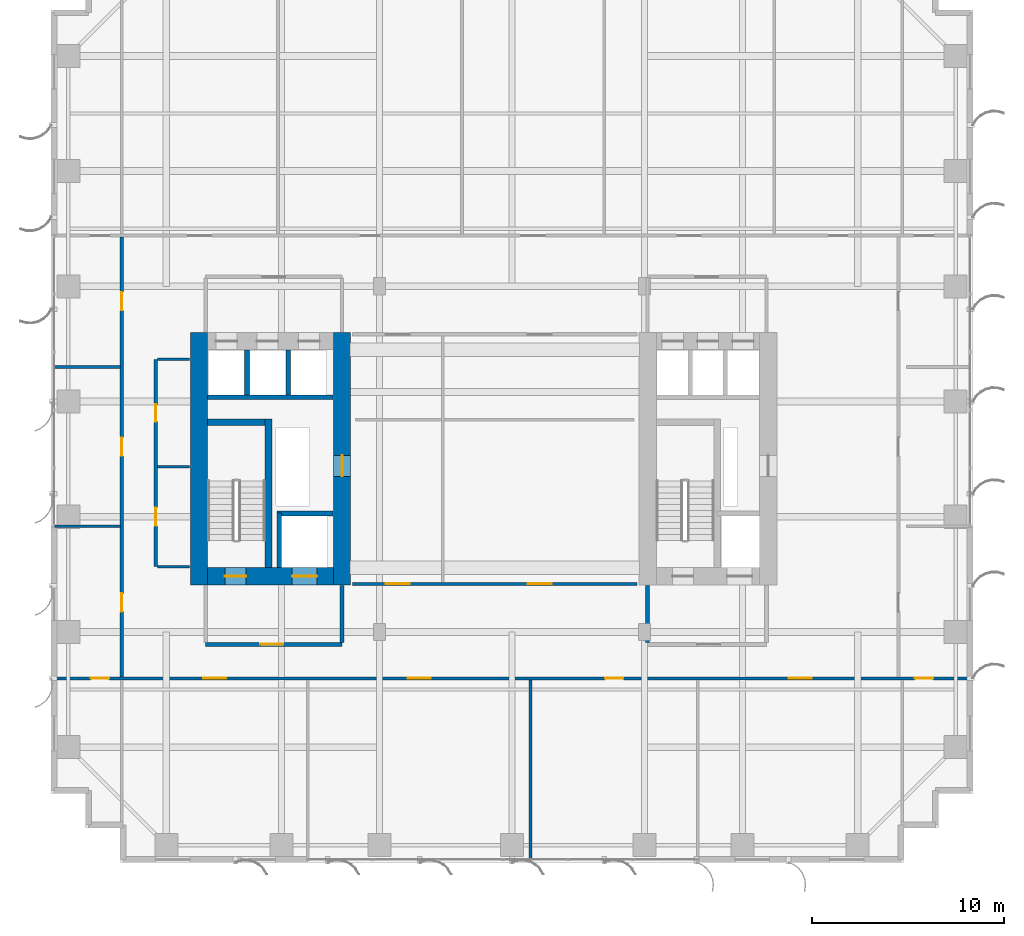
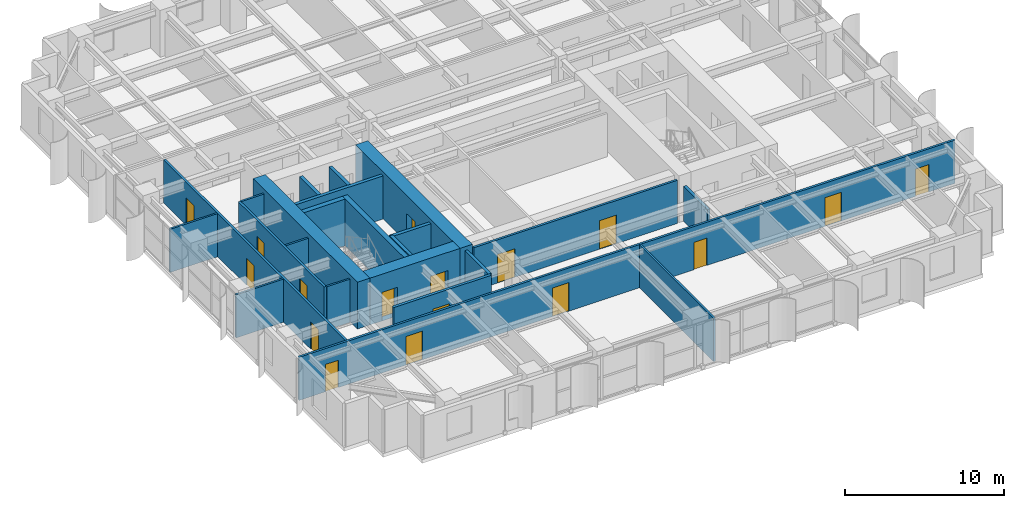
# One storey, part 18 of 25: 23 walls, 17 doors, 17 openings.
"""IFC4 building model written with IfcOpenShell, lengths in metres."""

from ifc_helpers import new_model, si_unit, direction, frame, frame_2d, origin, place, context, subcontext, project, spatial, rectangle, extrude, source, transform, mapped, material, layer, layer_set, type_object, element, fill, save


model = new_model("IFC4")

# Units and contexts
model_context = context("Model", 3, precision=1e-05, world=origin(), true_north=direction((0.0, 1.0)))
body_context = subcontext(model_context, "Body", "Model", "MODEL_VIEW")
ifc_project = project(units=[si_unit("LENGTHUNIT", "METRE"), si_unit("AREAUNIT", "SQUARE_METRE"), si_unit("VOLUMEUNIT", "CUBIC_METRE"), si_unit("PLANEANGLEUNIT", "RADIAN"), si_unit("MASSUNIT", "GRAM", prefix="KILO")], contexts=[model_context])

# Site, building, storey
site_placement = place(None, origin())
site = spatial("IfcSite", under=ifc_project, at=site_placement, CompositionType="ELEMENT")
building_placement = place(site_placement, origin())
building = spatial("IfcBuilding", under=site, at=building_placement, Name="Khoralis Quay Care Tower", CompositionType="ELEMENT")
storey_placement = place(building_placement, frame((0.0, 0.0, 51.300048828125)))
storey = spatial("IfcBuildingStorey", under=building, at=storey_placement, Name="L13", CompositionType="ELEMENT", Elevation=51.300048828125)

# Wall, opening, door
ifc_material_1 = material(Name="Gypsum plasterboard on acoustic metal stud")
ifc_layer_1 = layer(ifc_material_1, 0.199951171875)
ifc_layer_set_1 = layer_set([ifc_layer_1], Name="Gypsum plasterboard on acoustic metal stud")
wall_type_1 = type_object("IfcWallType", Name="WL-COMP-200", PredefinedType="PARTITIONING", material=ifc_layer_set_1)
wall_1_placement = place(storey_placement, frame((8.050048828125, 11.35009765625, 0.0), z_axis=(0.0, 0.0, 1.0), x_axis=(1.0, 0.0, 0.0)))
wall_1 = element("IfcWall", 1, at=wall_1_placement, inside=storey, type_object=wall_type_1, Name="L13 West Firefighting Lobby South Wall", PredefinedType="PARTITIONING", context=body_context, shape_type="SweptSolid", body=[
    extrude(rectangle(XDim=7.099853515625, YDim=0.199951171875, at=frame_2d((3.5498046875, 0.0))), origin(), (0.0, 0.0, 1.0), 3.320068359375),
])
opening_1_placement = place(wall_1_placement, frame((2.846435546875, 0.0, 0.0)))
opening_1 = element("IfcOpeningElement", 2, at=opening_1_placement, cuts=wall_1, Name="Opening FD1", PredefinedType="OPENING", context=body_context, shape_type="SweptSolid", body=[
    extrude(rectangle(XDim=1.199951171875, YDim=2.199951171875, at=frame_2d((0.60009765625, 1.10009765625))), frame((0.0, 0.10986328125, 0.0), z_axis=(0.0, -1.0, 0.0), x_axis=(1.0, 0.0, 0.0)), (0.0, 0.0, 1.0), 0.219970703125),
])
ifc_material_2 = material(Name="Fire-rated painted steel", Category="steel")
door_type_1 = type_object("IfcDoorType", Name="DR-FFL-1200X2200", OperationType="NOTDEFINED", PredefinedType="DOOR", material=ifc_material_2)
shared_shape_1 = source(origin(), body_context, "Body", "SweptSolid", [
    extrude(rectangle(XDim=1.199951171875, YDim=2.199951171875, at=frame_2d((0.60009765625, 1.10009765625))), frame((0.0, 0.02490234375, 0.0), z_axis=(0.0, -1.0, 0.0), x_axis=(1.0, 0.0, 0.0)), (0.0, 0.0, 1.0), 0.050048828125),
])
door_1_placement = place(opening_1_placement, origin())
door_1 = element("IfcDoor", 3, at=door_1_placement, inside=storey, type_object=door_type_1, Name="L13 West Firefighting Lobby Fire Door", OperationType="SINGLE_SWING_LEFT", OverallHeight=2.199951171875, OverallWidth=1.199951171875, PredefinedType="DOOR", context=body_context, shape_type="MappedRepresentation", body=[
    mapped(shared_shape_1, transform((0.0, 0.0, 0.0), scale=1.0)),
])
fill(opening_1, door_1)

# Walls
wall_2_placement = place(storey_placement, frame((15.14990234375, 11.445068359375, 0.0), z_axis=(0.0, 0.0, 1.0), x_axis=(0.0, 1.0, 0.0)))
element("IfcWall", 4, at=wall_2_placement, inside=storey, type_object=wall_type_1, Name="L13 West Firefighting Lobby East Wall", PredefinedType="PARTITIONING", context=body_context, shape_type="SweptSolid", body=[
    extrude(rectangle(XDim=2.98486328125, YDim=0.199951171875, at=frame_2d((1.492431640625, 0.0))), origin(), (0.0, 0.0, 1.0), 3.320068359375),
])
wall_3_placement = place(storey_placement, frame((31.050048828125, 11.445068359375, 0.0), z_axis=(0.0, 0.0, 1.0), x_axis=(0.0, 1.0, 0.0)))
element("IfcWall", 5, at=wall_3_placement, inside=storey, type_object=wall_type_1, Name="L13 East Firefighting Lobby West Wall", PredefinedType="PARTITIONING", context=body_context, shape_type="SweptSolid", body=[
    extrude(rectangle(XDim=2.98486328125, YDim=0.199951171875, at=frame_2d((1.492431640625, 0.0))), origin(), (0.0, 0.0, 1.0), 2.703857421875),
])
ifc_material_3 = material(Name="Concrete C80/95", Category="concrete")
ifc_layer_2 = layer(ifc_material_3, 0.89990234375)
ifc_layer_set_2 = layer_set([ifc_layer_2], Name="Concrete C80/95")
wall_type_2 = type_object("IfcWallType", Name="WL-CORE-900", PredefinedType="SHEAR", material=ifc_layer_set_2)
wall_4_placement = place(storey_placement, frame((7.699951171875, 14.449951171875, 0.0), z_axis=(0.0, 0.0, 1.0), x_axis=(0.0, 1.0, 0.0)))
element("IfcWall", 6, at=wall_4_placement, inside=storey, type_object=wall_type_2, Name="L13 WCORE West Shear Wall", PredefinedType="SHEAR", context=body_context, shape_type="SweptSolid", body=[
    extrude(rectangle(XDim=13.150146484375, YDim=0.89990234375, at=frame_2d((6.5751953125, 0.0))), origin(), (0.0, 0.0, 1.0), 3.599853515625),
])

# Wall, opening, door
wall_5_placement = place(storey_placement, frame((15.14990234375, 14.449951171875, 0.0), z_axis=(0.0, 0.0, 1.0), x_axis=(0.0, 1.0, 0.0)))
wall_5 = element("IfcWall", 7, at=wall_5_placement, inside=storey, type_object=wall_type_2, Name="L13 WCORE East Shear Wall", PredefinedType="SHEAR", context=body_context, shape_type="SweptSolid", body=[
    extrude(rectangle(XDim=13.150146484375, YDim=0.89990234375, at=frame_2d((6.5751953125, 0.0))), origin(), (0.0, 0.0, 1.0), 3.599853515625),
])
opening_2_placement = place(wall_5_placement, frame((5.64990234375, 0.0, 0.0)))
opening_2 = element("IfcOpeningElement", 8, at=opening_2_placement, cuts=wall_5, Name="Opening SD1", PredefinedType="OPENING", context=body_context, shape_type="SweptSolid", body=[
    extrude(rectangle(XDim=1.10009765625, YDim=2.199951171875, at=frame_2d((0.550048828125, 1.10009765625))), frame((0.0, 0.4599609375, 0.0), z_axis=(0.0, -1.0, 0.0), x_axis=(1.0, 0.0, 0.0)), (0.0, 0.0, 1.0), 0.919921875),
])
door_type_2 = type_object("IfcDoorType", Name="DR-STAIR-1100X2200", OperationType="NOTDEFINED", PredefinedType="DOOR", material=ifc_material_2)
shared_shape_2 = source(origin(), body_context, "Body", "SweptSolid", [
    extrude(rectangle(XDim=1.10009765625, YDim=2.199951171875, at=frame_2d((0.550048828125, 1.10009765625))), frame((0.0, 0.02490234375, 0.0), z_axis=(0.0, -1.0, 0.0), x_axis=(1.0, 0.0, 0.0)), (0.0, 0.0, 1.0), 0.050048828125),
])
door_2_placement = place(opening_2_placement, origin())
door_2 = element("IfcDoor", 9, at=door_2_placement, inside=storey, type_object=door_type_2, Name="L13 West MEP Riser Door", OperationType="SINGLE_SWING_LEFT", OverallHeight=2.199951171875, OverallWidth=1.10009765625, PredefinedType="DOOR", context=body_context, shape_type="MappedRepresentation", body=[
    mapped(shared_shape_2, transform((0.0, 0.0, 0.0), scale=1.0)),
])
fill(opening_2, door_2)

# Wall, openings, doors
wall_6_placement = place(storey_placement, frame((8.14990234375, 14.89990234375, 0.0), z_axis=(0.0, 0.0, 1.0), x_axis=(1.0, 0.0, 0.0)))
wall_6 = element("IfcWall", 10, at=wall_6_placement, inside=storey, type_object=wall_type_2, Name="L13 WCORE South Shear Wall", PredefinedType="SHEAR", context=body_context, shape_type="SweptSolid", body=[
    extrude(rectangle(XDim=6.550048828125, YDim=0.89990234375, at=frame_2d((3.27490234375, 0.0))), origin(), (0.0, 0.0, 1.0), 3.599853515625),
])
opening_3_placement = place(wall_6_placement, frame((0.89990234375, 0.0, 0.0)))
opening_3 = element("IfcOpeningElement", 11, at=opening_3_placement, cuts=wall_6, Name="Opening SD1", PredefinedType="OPENING", context=body_context, shape_type="SweptSolid", body=[
    extrude(rectangle(XDim=1.10009765625, YDim=2.199951171875, at=frame_2d((0.550048828125, 1.10009765625))), frame((0.0, 0.4599609375, 0.0), z_axis=(0.0, -1.0, 0.0), x_axis=(1.0, 0.0, 0.0)), (0.0, 0.0, 1.0), 0.919921875),
])
opening_4_placement = place(wall_6_placement, frame((4.39990234375, 0.0, 0.0)))
opening_4 = element("IfcOpeningElement", 12, at=opening_4_placement, cuts=wall_6, Name="Opening LD2", PredefinedType="OPENING", context=body_context, shape_type="SweptSolid", body=[
    extrude(rectangle(XDim=1.300048828125, YDim=2.199951171875, at=frame_2d((0.64990234375, 1.10009765625))), frame((0.0, 0.4599609375, 0.0), z_axis=(0.0, -1.0, 0.0), x_axis=(1.0, 0.0, 0.0)), (0.0, 0.0, 1.0), 0.919921875),
])
door_3_placement = place(opening_3_placement, origin())
door_3 = element("IfcDoor", 13, at=door_3_placement, inside=storey, type_object=door_type_2, Name="L13 Stair ST-T1 Fire Door", OperationType="SINGLE_SWING_LEFT", OverallHeight=2.199951171875, OverallWidth=1.10009765625, PredefinedType="DOOR", context=body_context, shape_type="MappedRepresentation", body=[
    mapped(shared_shape_2, transform((0.0, 0.0, 0.0), scale=1.0)),
])
fill(opening_3, door_3)
ifc_material_4 = material(Name="Brushed stainless steel", Category="steel")
door_type_3 = type_object("IfcDoorType", Name="DR-LIFT-1300X2200", OperationType="SLIDING_TO_RIGHT", PredefinedType="DOOR", material=ifc_material_4)
shared_shape_3 = source(origin(), body_context, "Body", "SweptSolid", [
    extrude(rectangle(XDim=1.300048828125, YDim=2.199951171875, at=frame_2d((0.64990234375, 1.10009765625))), frame((0.0, 0.02490234375, 0.0), z_axis=(0.0, -1.0, 0.0), x_axis=(1.0, 0.0, 0.0)), (0.0, 0.0, 1.0), 0.050048828125),
])
door_4_placement = place(opening_4_placement, origin())
door_4 = element("IfcDoor", 14, at=door_4_placement, inside=storey, type_object=door_type_3, Name="L13 Firefighting Lift FFL-1 Landing Door", OperationType="SLIDING_TO_RIGHT", OverallHeight=2.199951171875, OverallWidth=1.300048828125, PredefinedType="DOOR", context=body_context, shape_type="MappedRepresentation", body=[
    mapped(shared_shape_3, transform((0.0, 0.0, 0.0), scale=1.0)),
])
fill(opening_4, door_4)

ifc_layer_3 = layer(ifc_material_1, 0.1650390625)
ifc_layer_set_3 = layer_set([ifc_layer_3], Name="Gypsum plasterboard on acoustic metal stud")
wall_type_3 = type_object("IfcWallType", Name="WL-CORR-165", PredefinedType="PARTITIONING", material=ifc_layer_set_3)
wall_7_placement = place(storey_placement, frame((5.449951171875, 15.39990234375, 0.0), z_axis=(0.0, 0.0, 1.0), x_axis=(0.0, 1.0, 0.0)))
wall_7 = element("IfcWall", 15, at=wall_7_placement, inside=storey, type_object=wall_type_3, Name="L13 West Core Service Flank Wall", PredefinedType="PARTITIONING", context=body_context, shape_type="SweptSolid", body=[
    extrude(rectangle(XDim=10.800048828125, YDim=0.1650390625, at=frame_2d((5.39990234375, 0.0))), origin(), (0.0, 0.0, 1.0), 3.320068359375),
])
opening_5_placement = place(wall_7_placement, frame((2.125, 0.0, 0.0)))
opening_5 = element("IfcOpeningElement", 16, at=opening_5_placement, cuts=wall_7, Name="Opening ID1", PredefinedType="OPENING", context=body_context, shape_type="SweptSolid", body=[
    extrude(rectangle(XDim=0.949951171875, YDim=2.10009765625, at=frame_2d((0.47509765625, 1.050048828125))), frame((0.0, 0.092529296875, 0.0), z_axis=(0.0, -1.0, 0.0), x_axis=(1.0, 0.0, 0.0)), (0.0, 0.0, 1.0), 0.18505859375),
])
opening_6_placement = place(wall_7_placement, frame((7.550048828125, 0.0, 0.0)))
opening_6 = element("IfcOpeningElement", 17, at=opening_6_placement, cuts=wall_7, Name="Opening WD1", PredefinedType="OPENING", context=body_context, shape_type="SweptSolid", body=[
    extrude(rectangle(XDim=0.89990234375, YDim=2.10009765625, at=frame_2d((0.449951171875, 1.050048828125))), frame((0.0, 0.092529296875, 0.0), z_axis=(0.0, -1.0, 0.0), x_axis=(1.0, 0.0, 0.0)), (0.0, 0.0, 1.0), 0.18505859375),
])
ifc_material_5 = material(Name="Acoustic hardwood timber", Category="wood")
door_type_4 = type_object("IfcDoorType", Name="DR-BATH-900X2100", OperationType="NOTDEFINED", PredefinedType="DOOR", material=ifc_material_5)
shared_shape_4 = source(origin(), body_context, "Body", "SweptSolid", [
    extrude(rectangle(XDim=0.89990234375, YDim=2.10009765625, at=frame_2d((0.449951171875, 1.050048828125))), frame((0.0, 0.02490234375, 0.0), z_axis=(0.0, -1.0, 0.0), x_axis=(1.0, 0.0, 0.0)), (0.0, 0.0, 1.0), 0.050048828125),
])
door_5_placement = place(opening_6_placement, frame((0.89990234375, 0.0, 0.0), z_axis=(0.0, 0.0, 1.0), x_axis=(-1.0, 0.0, 0.0)))
door_5 = element("IfcDoor", 18, at=door_5_placement, inside=storey, type_object=door_type_4, Name="L13 Public Accessible WC Door", OperationType="SINGLE_SWING_LEFT", OverallHeight=2.10009765625, OverallWidth=0.89990234375, PredefinedType="DOOR", context=body_context, shape_type="MappedRepresentation", body=[
    mapped(shared_shape_4, transform((0.0, 0.0, 0.0), scale=1.0)),
])
fill(opening_6, door_5)
door_type_5 = type_object("IfcDoorType", Name="DR-ROOM-950X2100", OperationType="NOTDEFINED", PredefinedType="DOOR", material=ifc_material_5)
shared_shape_5 = source(origin(), body_context, "Body", "SweptSolid", [
    extrude(rectangle(XDim=0.949951171875, YDim=2.10009765625, at=frame_2d((0.47509765625, 1.050048828125))), frame((0.0, 0.02490234375, 0.0), z_axis=(0.0, -1.0, 0.0), x_axis=(1.0, 0.0, 0.0)), (0.0, 0.0, 1.0), 0.050048828125),
])
door_6_placement = place(opening_5_placement, frame((0.949951171875, 0.0, 0.0), z_axis=(0.0, 0.0, 1.0), x_axis=(-1.0, 0.0, 0.0)))
door_6 = element("IfcDoor", 19, at=door_6_placement, inside=storey, type_object=door_type_5, Name="L13 Housekeeping Linen Store Door", OperationType="SINGLE_SWING_RIGHT", OverallHeight=2.10009765625, OverallWidth=0.949951171875, PredefinedType="DOOR", context=body_context, shape_type="MappedRepresentation", body=[
    mapped(shared_shape_5, transform((0.0, 0.0, 0.0), scale=1.0)),
])
fill(opening_5, door_6)

wall_8_placement = place(storey_placement, frame((0.14501953125, 9.580078125, 0.0), z_axis=(0.0, 0.0, 1.0), x_axis=(1.0, 0.0, 0.0)))
wall_8 = element("IfcWall", 20, at=wall_8_placement, inside=storey, type_object=wall_type_3, Name="L13 South Main Corridor Wall", PredefinedType="PARTITIONING", context=body_context, shape_type="SweptSolid", body=[
    extrude(rectangle(XDim=47.7099609375, YDim=0.1650390625, at=frame_2d((23.85498046875, 0.0))), origin(), (0.0, 0.0, 1.0), 3.320068359375),
])
opening_7_placement = place(wall_8_placement, frame((7.77490234375, 0.0, 0.0)))
opening_7 = element("IfcOpeningElement", 21, at=opening_7_placement, cuts=wall_8, Name="Opening FD1", PredefinedType="OPENING", context=body_context, shape_type="SweptSolid", body=[
    extrude(rectangle(XDim=1.199951171875, YDim=2.199951171875, at=frame_2d((0.60009765625, 1.10009765625))), frame((0.0, 0.092529296875, 0.0), z_axis=(0.0, -1.0, 0.0), x_axis=(1.0, 0.0, 0.0)), (0.0, 0.0, 1.0), 0.18505859375),
])
opening_8_placement = place(wall_8_placement, frame((18.4150390625, 0.0, 0.0)))
opening_8 = element("IfcOpeningElement", 22, at=opening_8_placement, cuts=wall_8, Name="Opening FD1", PredefinedType="OPENING", context=body_context, shape_type="SweptSolid", body=[
    extrude(rectangle(XDim=1.199951171875, YDim=2.199951171875, at=frame_2d((0.60009765625, 1.10009765625))), frame((0.0, 0.092529296875, 0.0), z_axis=(0.0, -1.0, 0.0), x_axis=(1.0, 0.0, 0.0)), (0.0, 0.0, 1.0), 0.18505859375),
])
opening_9_placement = place(wall_8_placement, frame((28.699951171875, 0.0, 0.0)))
opening_9 = element("IfcOpeningElement", 23, at=opening_9_placement, cuts=wall_8, Name="Opening ID1", PredefinedType="OPENING", context=body_context, shape_type="SweptSolid", body=[
    extrude(rectangle(XDim=0.949951171875, YDim=2.10009765625, at=frame_2d((0.47509765625, 1.050048828125))), frame((0.0, 0.092529296875, 0.0), z_axis=(0.0, -1.0, 0.0), x_axis=(1.0, 0.0, 0.0)), (0.0, 0.0, 1.0), 0.18505859375),
])
opening_10_placement = place(wall_8_placement, frame((38.2548828125, 0.0, 0.0)))
opening_10 = element("IfcOpeningElement", 24, at=opening_10_placement, cuts=wall_8, Name="Opening FD1", PredefinedType="OPENING", context=body_context, shape_type="SweptSolid", body=[
    extrude(rectangle(XDim=1.199951171875, YDim=2.199951171875, at=frame_2d((0.60009765625, 1.10009765625))), frame((0.0, 0.092529296875, 0.0), z_axis=(0.0, -1.0, 0.0), x_axis=(1.0, 0.0, 0.0)), (0.0, 0.0, 1.0), 0.18505859375),
])
opening_11_placement = place(wall_8_placement, frame((1.919921875, 0.0, 0.0)))
opening_11 = element("IfcOpeningElement", 25, at=opening_11_placement, cuts=wall_8, Name="Opening ID1", PredefinedType="OPENING", context=body_context, shape_type="SweptSolid", body=[
    extrude(rectangle(XDim=0.949951171875, YDim=2.10009765625, at=frame_2d((0.47509765625, 1.050048828125))), frame((0.0, 0.092529296875, 0.0), z_axis=(0.0, -1.0, 0.0), x_axis=(1.0, 0.0, 0.0)), (0.0, 0.0, 1.0), 0.18505859375),
])
opening_12_placement = place(wall_8_placement, frame((44.840087890625, 0.0, 0.0)))
opening_12 = element("IfcOpeningElement", 26, at=opening_12_placement, cuts=wall_8, Name="Opening ID1", PredefinedType="OPENING", context=body_context, shape_type="SweptSolid", body=[
    extrude(rectangle(XDim=0.949951171875, YDim=2.10009765625, at=frame_2d((0.47509765625, 1.050048828125))), frame((0.0, 0.092529296875, 0.0), z_axis=(0.0, -1.0, 0.0), x_axis=(1.0, 0.0, 0.0)), (0.0, 0.0, 1.0), 0.18505859375),
])
door_7_placement = place(opening_7_placement, frame((1.199951171875, 0.0, 0.0), z_axis=(0.0, 0.0, 1.0), x_axis=(-1.0, 0.0, 0.0)))
door_7 = element("IfcDoor", 27, at=door_7_placement, inside=storey, type_object=door_type_1, Name="L13 Senior Wellness Pharmacy Shop Door", OperationType="DOUBLE_DOOR_SINGLE_SWING", OverallHeight=2.199951171875, OverallWidth=1.199951171875, PredefinedType="DOOR", context=body_context, shape_type="MappedRepresentation", body=[
    mapped(shared_shape_1, transform((0.0, 0.0, 0.0), scale=1.0)),
])
fill(opening_7, door_7)
door_8_placement = place(opening_8_placement, frame((1.199951171875, 0.0, 0.0), z_axis=(0.0, 0.0, 1.0), x_axis=(-1.0, 0.0, 0.0)))
door_8 = element("IfcDoor", 28, at=door_8_placement, inside=storey, type_object=door_type_1, Name="L13 Senior Wellness Pharmacy Shop Door", OperationType="DOUBLE_DOOR_SINGLE_SWING", OverallHeight=2.199951171875, OverallWidth=1.199951171875, PredefinedType="DOOR", context=body_context, shape_type="MappedRepresentation", body=[
    mapped(shared_shape_1, transform((0.0, 0.0, 0.0), scale=1.0)),
])
fill(opening_8, door_8)
door_9_placement = place(opening_10_placement, frame((1.199951171875, 0.0, 0.0), z_axis=(0.0, 0.0, 1.0), x_axis=(-1.0, 0.0, 0.0)))
door_9 = element("IfcDoor", 29, at=door_9_placement, inside=storey, type_object=door_type_1, Name="L13 Resident Communal Day Lounge Door", OperationType="DOUBLE_DOOR_SINGLE_SWING", OverallHeight=2.199951171875, OverallWidth=1.199951171875, PredefinedType="DOOR", context=body_context, shape_type="MappedRepresentation", body=[
    mapped(shared_shape_1, transform((0.0, 0.0, 0.0), scale=1.0)),
])
fill(opening_10, door_9)
door_10_placement = place(opening_9_placement, frame((0.949951171875, 0.0, 0.0), z_axis=(0.0, 0.0, 1.0), x_axis=(-1.0, 0.0, 0.0)))
door_10 = element("IfcDoor", 30, at=door_10_placement, inside=storey, type_object=door_type_5, Name="L13 Family Case Conference Room Door", OperationType="SINGLE_SWING_RIGHT", OverallHeight=2.10009765625, OverallWidth=0.949951171875, PredefinedType="DOOR", context=body_context, shape_type="MappedRepresentation", body=[
    mapped(shared_shape_5, transform((0.0, 0.0, 0.0), scale=1.0)),
])
fill(opening_9, door_10)
door_11_placement = place(opening_11_placement, frame((0.949951171875, 0.0, 0.0), z_axis=(0.0, 0.0, 1.0), x_axis=(-1.0, 0.0, 0.0)))
door_11 = element("IfcDoor", 31, at=door_11_placement, inside=storey, type_object=door_type_5, Name="L13 SW Corner Door", OperationType="SINGLE_SWING_LEFT", OverallHeight=2.10009765625, OverallWidth=0.949951171875, PredefinedType="DOOR", context=body_context, shape_type="MappedRepresentation", body=[
    mapped(shared_shape_5, transform((0.0, 0.0, 0.0), scale=1.0)),
])
fill(opening_11, door_11)
door_12_placement = place(opening_12_placement, frame((0.949951171875, 0.0, 0.0), z_axis=(0.0, 0.0, 1.0), x_axis=(-1.0, 0.0, 0.0)))
door_12 = element("IfcDoor", 32, at=door_12_placement, inside=storey, type_object=door_type_5, Name="L13 SE Corner Door", OperationType="SINGLE_SWING_RIGHT", OverallHeight=2.10009765625, OverallWidth=0.949951171875, PredefinedType="DOOR", context=body_context, shape_type="MappedRepresentation", body=[
    mapped(shared_shape_5, transform((0.0, 0.0, 0.0), scale=1.0)),
])
fill(opening_12, door_12)

wall_9_placement = place(storey_placement, frame((3.679931640625, 9.657470703125, 0.0), z_axis=(0.0, 0.0, 1.0), x_axis=(0.0, 1.0, 0.0)))
wall_9 = element("IfcWall", 33, at=wall_9_placement, inside=storey, type_object=wall_type_3, Name="L13 West Loop Corridor Wall", PredefinedType="PARTITIONING", context=body_context, shape_type="SweptSolid", body=[
    extrude(rectangle(XDim=22.905029296875, YDim=0.1650390625, at=frame_2d((11.45263671875, 0.0))), origin(), (0.0, 0.0, 1.0), 3.320068359375),
])
opening_13_placement = place(wall_9_placement, frame((3.407470703125, 0.0, 0.0)))
opening_13 = element("IfcOpeningElement", 34, at=opening_13_placement, cuts=wall_9, Name="Opening ID1", PredefinedType="OPENING", context=body_context, shape_type="SweptSolid", body=[
    extrude(rectangle(XDim=0.949951171875, YDim=2.10009765625, at=frame_2d((0.47509765625, 1.050048828125))), frame((0.0, 0.092529296875, 0.0), z_axis=(0.0, -1.0, 0.0), x_axis=(1.0, 0.0, 0.0)), (0.0, 0.0, 1.0), 0.18505859375),
])
opening_14_placement = place(wall_9_placement, frame((11.517578125, 0.0, 0.0)))
opening_14 = element("IfcOpeningElement", 35, at=opening_14_placement, cuts=wall_9, Name="Opening ID1", PredefinedType="OPENING", context=body_context, shape_type="SweptSolid", body=[
    extrude(rectangle(XDim=0.949951171875, YDim=2.10009765625, at=frame_2d((0.47509765625, 1.050048828125))), frame((0.0, 0.092529296875, 0.0), z_axis=(0.0, -1.0, 0.0), x_axis=(1.0, 0.0, 0.0)), (0.0, 0.0, 1.0), 0.18505859375),
])
opening_15_placement = place(wall_9_placement, frame((19.08740234375, 0.0, 0.0)))
opening_15 = element("IfcOpeningElement", 36, at=opening_15_placement, cuts=wall_9, Name="Opening ID1", PredefinedType="OPENING", context=body_context, shape_type="SweptSolid", body=[
    extrude(rectangle(XDim=0.949951171875, YDim=2.10009765625, at=frame_2d((0.47509765625, 1.050048828125))), frame((0.0, 0.092529296875, 0.0), z_axis=(0.0, -1.0, 0.0), x_axis=(1.0, 0.0, 0.0)), (0.0, 0.0, 1.0), 0.18505859375),
])
door_13_placement = place(opening_13_placement, origin())
door_13 = element("IfcDoor", 37, at=door_13_placement, inside=storey, type_object=door_type_5, Name="L13 Therapy Consultation Room Door", OperationType="SINGLE_SWING_LEFT", OverallHeight=2.10009765625, OverallWidth=0.949951171875, PredefinedType="DOOR", context=body_context, shape_type="MappedRepresentation", body=[
    mapped(shared_shape_5, transform((0.0, 0.0, 0.0), scale=1.0)),
])
fill(opening_13, door_13)
door_14_placement = place(opening_14_placement, origin())
door_14 = element("IfcDoor", 38, at=door_14_placement, inside=storey, type_object=door_type_5, Name="L13 Assisted Activity Lounge Door", OperationType="SINGLE_SWING_RIGHT", OverallHeight=2.10009765625, OverallWidth=0.949951171875, PredefinedType="DOOR", context=body_context, shape_type="MappedRepresentation", body=[
    mapped(shared_shape_5, transform((0.0, 0.0, 0.0), scale=1.0)),
])
fill(opening_14, door_14)
door_15_placement = place(opening_15_placement, origin())
door_15 = element("IfcDoor", 39, at=door_15_placement, inside=storey, type_object=door_type_5, Name="L13 Nurse Charting Office Door", OperationType="SINGLE_SWING_LEFT", OverallHeight=2.10009765625, OverallWidth=0.949951171875, PredefinedType="DOOR", context=body_context, shape_type="MappedRepresentation", body=[
    mapped(shared_shape_5, transform((0.0, 0.0, 0.0), scale=1.0)),
])
fill(opening_15, door_15)

wall_10_placement = place(storey_placement, frame((15.699951171875, 14.5, 0.0), z_axis=(0.0, 0.0, 1.0), x_axis=(1.0, 0.0, 0.0)))
wall_10 = element("IfcWall", 40, at=wall_10_placement, inside=storey, type_object=wall_type_3, Name="L13 Central Clinical South Wall", PredefinedType="PARTITIONING", context=body_context, shape_type="SweptSolid", body=[
    extrude(rectangle(XDim=14.800048828125, YDim=0.1650390625, at=frame_2d((7.39990234375, 0.0))), origin(), (0.0, 0.0, 1.0), 3.320068359375),
])
opening_16_placement = place(wall_10_placement, frame((1.72509765625, 0.0, 0.0)))
opening_16 = element("IfcOpeningElement", 41, at=opening_16_placement, cuts=wall_10, Name="Opening CD1", PredefinedType="OPENING", context=body_context, shape_type="SweptSolid", body=[
    extrude(rectangle(XDim=1.25, YDim=2.199951171875, at=frame_2d((0.625, 1.10009765625))), frame((0.0, 0.092529296875, 0.0), z_axis=(0.0, -1.0, 0.0), x_axis=(1.0, 0.0, 0.0)), (0.0, 0.0, 1.0), 0.18505859375),
])
opening_17_placement = place(wall_10_placement, frame((9.125, 0.0, 0.0)))
opening_17 = element("IfcOpeningElement", 42, at=opening_17_placement, cuts=wall_10, Name="Opening CD1", PredefinedType="OPENING", context=body_context, shape_type="SweptSolid", body=[
    extrude(rectangle(XDim=1.25, YDim=2.199951171875, at=frame_2d((0.625, 1.10009765625))), frame((0.0, 0.092529296875, 0.0), z_axis=(0.0, -1.0, 0.0), x_axis=(1.0, 0.0, 0.0)), (0.0, 0.0, 1.0), 0.18505859375),
])
door_type_6 = type_object("IfcDoorType", Name="DR-CARE-1250X2200", OperationType="NOTDEFINED", PredefinedType="DOOR", material=ifc_material_5)
shared_shape_6 = source(origin(), body_context, "Body", "SweptSolid", [
    extrude(rectangle(XDim=1.25, YDim=2.199951171875, at=frame_2d((0.625, 1.10009765625))), frame((0.0, 0.02490234375, 0.0), z_axis=(0.0, -1.0, 0.0), x_axis=(1.0, 0.0, 0.0)), (0.0, 0.0, 1.0), 0.050048828125),
])
door_16_placement = place(opening_16_placement, origin())
door_16 = element("IfcDoor", 43, at=door_16_placement, inside=storey, type_object=door_type_6, Name="L13 Nurse Station Door", OperationType="SINGLE_SWING_LEFT", OverallHeight=2.199951171875, OverallWidth=1.25, PredefinedType="DOOR", context=body_context, shape_type="MappedRepresentation", body=[
    mapped(shared_shape_6, transform((0.0, 0.0, 0.0), scale=1.0)),
])
fill(opening_16, door_16)
door_17_placement = place(opening_17_placement, origin())
door_17 = element("IfcDoor", 44, at=door_17_placement, inside=storey, type_object=door_type_6, Name="L13 Treatment Clinic Door", OperationType="SINGLE_SWING_RIGHT", OverallHeight=2.199951171875, OverallWidth=1.25, PredefinedType="DOOR", context=body_context, shape_type="MappedRepresentation", body=[
    mapped(shared_shape_6, transform((0.0, 0.0, 0.0), scale=1.0)),
])
fill(opening_17, door_17)

# Walls
ifc_material_6 = material(Name="Moisture-resistant gypsum and ceramic tile")
ifc_layer_4 = layer(ifc_material_6, 0.280029296875)
ifc_layer_set_4 = layer_set([ifc_layer_4], Name="Moisture-resistant gypsum and ceramic tile")
wall_type_4 = type_object("IfcWallType", Name="WL-PLUMB-280", PredefinedType="PLUMBINGWALL", material=ifc_layer_set_4)
wall_11_placement = place(storey_placement, frame((5.527587890625, 20.60009765625, 0.0), z_axis=(0.0, 0.0, 1.0), x_axis=(1.0, 0.0, 0.0)))
element("IfcWall", 45, at=wall_11_placement, inside=storey, type_object=wall_type_4, Name="L13 West Flank Divider 1", PredefinedType="PLUMBINGWALL", context=body_context, shape_type="SweptSolid", body=[
    extrude(rectangle(XDim=1.682373046875, YDim=0.139892578125, at=frame_2d((0.84130859375, 0.0))), origin(), (0.0, 0.0, 1.0), 3.320068359375),
])
ifc_material_7 = material(Name="Concrete C40/50", Category="concrete")
ifc_layer_5 = layer(ifc_material_7, 0.35009765625)
ifc_layer_set_5 = layer_set([ifc_layer_5], Name="Concrete C40/50")
wall_type_5 = type_object("IfcWallType", Name="WL-SC-CORE-350", PredefinedType="SHEAR", material=ifc_layer_set_5)
wall_12_placement = place(storey_placement, frame((11.324951171875, 15.35009765625, 0.0), z_axis=(0.0, 0.0, 1.0), x_axis=(0.0, 1.0, 0.0)))
element("IfcWall", 46, at=wall_12_placement, inside=storey, type_object=wall_type_5, Name="L13 Stair ST-T1 Shear Baffle Wall East", PredefinedType="SHEAR", context=body_context, shape_type="SweptSolid", body=[
    extrude(rectangle(XDim=7.75, YDim=0.35009765625, at=frame_2d((3.875, 0.0))), origin(), (0.0, 0.0, 1.0), 3.599853515625),
])
wall_13_placement = place(storey_placement, frame((8.14990234375, 22.925048828125, 0.0), z_axis=(0.0, 0.0, 1.0), x_axis=(1.0, 0.0, 0.0)))
element("IfcWall", 47, at=wall_13_placement, inside=storey, type_object=wall_type_5, Name="L13 Stair ST-T1 Shear Baffle Wall North", PredefinedType="SHEAR", context=body_context, shape_type="SweptSolid", body=[
    extrude(rectangle(XDim=3.0, YDim=0.35009765625, at=frame_2d((1.5, 0.0))), origin(), (0.0, 0.0, 1.0), 3.599853515625),
])
ifc_layer_6 = layer(ifc_material_1, 0.239990234375)
ifc_layer_set_6 = layer_set([ifc_layer_6], Name="Gypsum plasterboard on acoustic metal stud")
wall_type_6 = type_object("IfcWallType", Name="WL-SHAFT-240", PredefinedType="PARTITIONING", material=ifc_layer_set_6)
wall_14_placement = place(storey_placement, frame((11.8798828125, 15.35009765625, 0.0), z_axis=(0.0, 0.0, 1.0), x_axis=(0.0, 1.0, 0.0)))
element("IfcWall", 48, at=wall_14_placement, inside=storey, type_object=wall_type_6, Name="L13 FFL-1 Shaft Wall West", PredefinedType="PARTITIONING", context=body_context, shape_type="SweptSolid", body=[
    extrude(rectangle(XDim=2.849853515625, YDim=0.239990234375, at=frame_2d((1.4248046875, 0.0))), origin(), (0.0, 0.0, 1.0), 3.320068359375),
])
wall_15_placement = place(storey_placement, frame((11.760009765625, 18.169921875, 0.0), z_axis=(0.0, 0.0, 1.0), x_axis=(1.0, 0.0, 0.0)))
element("IfcWall", 49, at=wall_15_placement, inside=storey, type_object=wall_type_6, Name="L13 FFL-1 Shaft Wall North", PredefinedType="PARTITIONING", context=body_context, shape_type="SweptSolid", body=[
    extrude(rectangle(XDim=2.919921875, YDim=0.239990234375, at=frame_2d((1.4599609375, 0.0))), origin(), (0.0, 0.0, 1.0), 3.320068359375),
])
wall_16_placement = place(storey_placement, frame((8.14990234375, 24.22998046875, 0.0), z_axis=(0.0, 0.0, 1.0), x_axis=(1.0, 0.0, 0.0)))
element("IfcWall", 50, at=wall_16_placement, inside=storey, type_object=wall_type_6, Name="L13 West Passenger Shaft South Wall", PredefinedType="PARTITIONING", context=body_context, shape_type="SweptSolid", body=[
    extrude(rectangle(XDim=6.530029296875, YDim=0.239990234375, at=frame_2d((3.26513671875, 0.0))), origin(), (0.0, 0.0, 1.0), 3.320068359375),
])
for number, where, z_axis, x_axis, name in (
    (51, (10.199951171875, 24.344970703125, 0.0), (0.0, 0.0, 1.0), (0.0, 1.0, 0.0), "L13 West Shaft Divider 1"),
    (52, (12.35009765625, 24.344970703125, 0.0), (0.0, 0.0, 1.0), (0.0, 1.0, 0.0), "L13 West Shaft Divider 2"),
):
    element("IfcWall", number, at=place(storey_placement, frame(where, z_axis=z_axis, x_axis=x_axis)), inside=storey, type_object=wall_type_6, Name=name, PredefinedType="PARTITIONING", context=body_context, shape_type="SweptSolid", body=[
        extrude(rectangle(XDim=2.3349609375, YDim=0.239990234375, at=frame_2d((1.16748046875, 0.0))), origin(), (0.0, 0.0, 1.0), 3.320068359375),
    ])
ifc_layer_7 = layer(ifc_material_1, 0.139892578125)
ifc_layer_set_7 = layer_set([ifc_layer_7], Name="Gypsum plasterboard on acoustic metal stud")
wall_type_7 = type_object("IfcWallType", Name="WL-UNIT-140", PredefinedType="PARTITIONING", material=ifc_layer_set_7)
for number, where, z_axis, x_axis, name in (
    (53, (5.527587890625, 15.39990234375, 0.0), (0.0, 0.0, 1.0), (1.0, 0.0, 0.0), "L13 West Flank South Cap"),
    (54, (5.527587890625, 26.199951171875, 0.0), (0.0, 0.0, 1.0), (1.0, 0.0, 0.0), "L13 West Flank North Cap"),
):
    element("IfcWall", number, at=place(storey_placement, frame(where, z_axis=z_axis, x_axis=x_axis)), inside=storey, type_object=wall_type_7, Name=name, PredefinedType="PARTITIONING", context=body_context, shape_type="SweptSolid", body=[
        extrude(rectangle(XDim=1.682373046875, YDim=0.139892578125, at=frame_2d((0.84130859375, 0.0))), origin(), (0.0, 0.0, 1.0), 3.320068359375),
    ])
for number, where, z_axis, x_axis, name in (
    (55, (0.14501953125, 17.5, 0.0), (0.0, 0.0, 1.0), (1.0, 0.0, 0.0), "L13 WW Divider 1"),
    (56, (0.14501953125, 25.800048828125, 0.0), (0.0, 0.0, 1.0), (1.0, 0.0, 0.0), "L13 WW Divider 2"),
):
    element("IfcWall", number, at=place(storey_placement, frame(where, z_axis=z_axis, x_axis=x_axis)), inside=storey, type_object=wall_type_7, Name=name, PredefinedType="PARTITIONING", context=body_context, shape_type="SweptSolid", body=[
        extrude(rectangle(XDim=3.45751953125, YDim=0.139892578125, at=frame_2d((1.728759765625, 0.0))), origin(), (0.0, 0.0, 1.0), 3.320068359375),
    ])
wall_17_placement = place(storey_placement, frame((24.9599609375, 0.14501953125, 0.0), z_axis=(0.0, 0.0, 1.0), x_axis=(0.0, 1.0, 0.0)))
element("IfcWall", 57, at=wall_17_placement, inside=storey, type_object=wall_type_7, Name="L13 SB Demising Wall 2", PredefinedType="PARTITIONING", context=body_context, shape_type="SweptSolid", body=[
    extrude(rectangle(XDim=9.357421875, YDim=0.139892578125, at=frame_2d((4.6787109375, 0.0))), origin(), (0.0, 0.0, 1.0), 3.320068359375),
])

save(model, "model.ifc")
